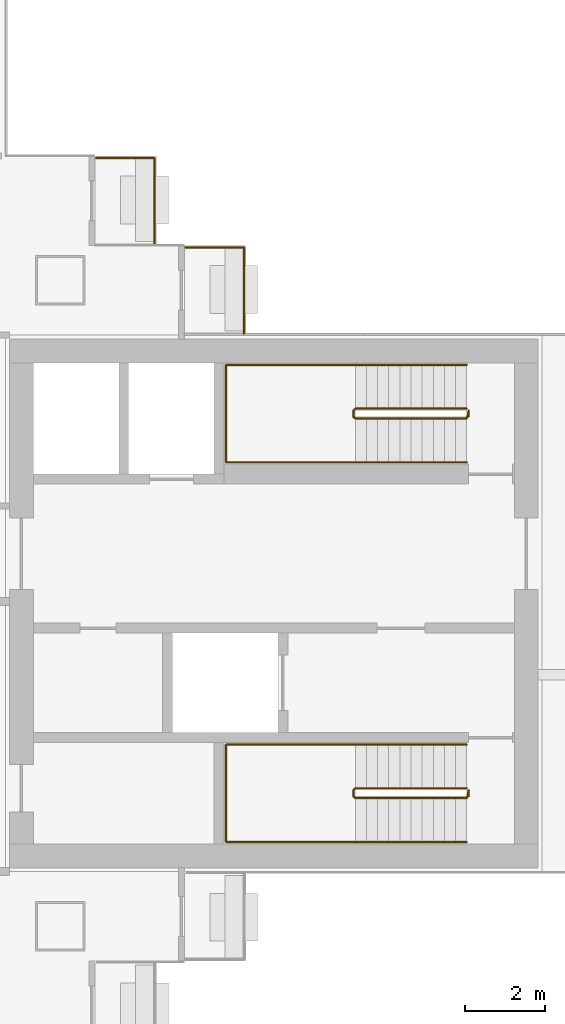
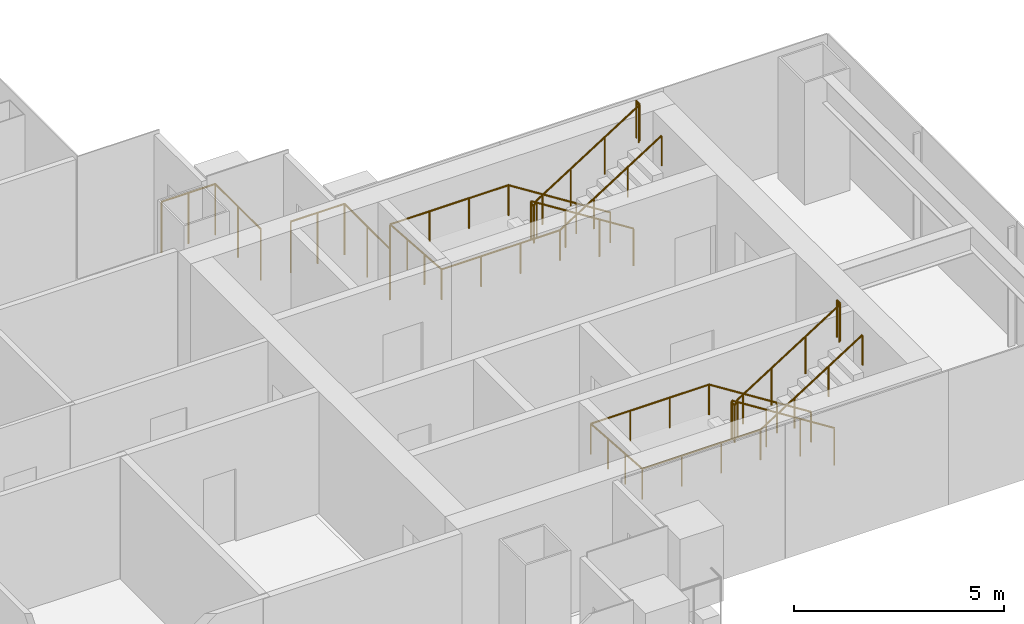
# One storey, part 19 of 20: 6 railings.
"""IFC4 building model written with IfcOpenShell, lengths in metres."""

from ifc_helpers import new_model, si_unit, direction, frame, origin, origin_2d, place, context, subcontext, project, spatial, circle, extrude, material, type_object, element, save


model = new_model("IFC4")

# Units and contexts
model_context = context("Model", 3, precision=1e-05, world=origin(), true_north=direction((0.0, 1.0)))
body_context = subcontext(model_context, "Body", "Model", "MODEL_VIEW")
ifc_project = project(units=[si_unit("LENGTHUNIT", "METRE"), si_unit("AREAUNIT", "SQUARE_METRE"), si_unit("VOLUMEUNIT", "CUBIC_METRE"), si_unit("PLANEANGLEUNIT", "RADIAN"), si_unit("MASSUNIT", "GRAM", prefix="KILO")], contexts=[model_context])

# Site, building, storey
site_placement = place(None, origin())
site = spatial("IfcSite", under=ifc_project, at=site_placement, CompositionType="ELEMENT")
building_placement = place(site_placement, origin())
building = spatial("IfcBuilding", under=site, at=building_placement, Name="Shamsa Quay Exchange Towers", CompositionType="ELEMENT")
storey_placement = place(building_placement, frame((0.0, 0.0, 109.199951171875)))
storey = spatial("IfcBuildingStorey", under=building, at=storey_placement, Name="L25", CompositionType="ELEMENT", Elevation=109.199951171875)

# Railings
ifc_material_1 = material(Name="Steel S355, black powder-coated", Category="steel")
railing_type_1 = type_object("IfcRailingType", Name="BALCONY GUARD 1500", PredefinedType="GUARDRAIL", material=ifc_material_1)
for number, where, name in (
    (1, (44.25, 9.0380859375, 0.0), "Balcony guard T2-PKES L25"),
    (2, (46.5, 6.7880859375, 0.0), "Balcony guard T2-PKES L25"),
):
    element("IfcRailing", number, at=place(storey_placement, frame(where)), inside=storey, type_object=railing_type_1, Name=name, PredefinedType="GUARDRAIL", context=body_context, shape_type="SweptSolid", body=[
        extrude(circle(Radius=0.02392578125, at=origin_2d()), frame((0.0, 0.0, 1.47607421875), z_axis=(0.0, 1.0, 0.0), x_axis=(-1.0, 0.0, 0.0)), (0.0, 0.0, 1.0), 2.161865234375),
        extrude(circle(Radius=0.02392578125, at=origin_2d()), frame((0.0, 2.161865234375, 1.47607421875), z_axis=(-1.0, 0.0, 0.0), x_axis=(0.0, -1.0, 0.0)), (0.0, 0.0, 1.0), 1.47900390625),
        extrude(circle(Radius=0.02099609375, at=origin_2d()), origin(), (0.0, 0.0, 1.0), 1.451904296875),
        extrude(circle(Radius=0.02099609375, at=origin_2d()), frame((0.0, 1.0810546875, 0.0)), (0.0, 0.0, 1.0), 1.451904296875),
        extrude(circle(Radius=0.02099609375, at=origin_2d()), frame((0.0, 2.161865234375, 0.0)), (0.0, 0.0, 1.0), 1.451904296875),
        extrude(circle(Radius=0.02099609375, at=origin_2d()), frame((-0.739501953125, 2.161865234375, 0.0)), (0.0, 0.0, 1.0), 1.451904296875),
        extrude(circle(Radius=0.02099609375, at=origin_2d()), frame((-1.47900390625, 2.161865234375, 0.0)), (0.0, 0.0, 1.0), 1.451904296875),
    ])
ifc_material_2 = material(Name="Stainless steel", Category="steel")
railing_type_2 = type_object("IfcRailingType", Name="STAIR GUARD 1100", PredefinedType="GUARDRAIL", material=ifc_material_2)
railing_1_placement = place(storey_placement, frame((52.10009765625, -4.64990234375, 0.17724609375)))
element("IfcRailing", 3, at=railing_1_placement, inside=storey, type_object=railing_type_2, Name="L25 ST5 stair guard 1", PredefinedType="GUARDRAIL", context=body_context, shape_type="SweptSolid", body=[
    extrude(circle(Radius=0.02392578125, at=origin_2d()), frame((0.0, 0.0, 1.076171875), z_axis=(-0.844908973607, 0.0, 0.534910110503), x_axis=(0.0, -1.0, 0.0)), (0.0, 0.0, 1.0), 3.31396484375),
    extrude(circle(Radius=0.02392578125, at=origin_2d()), frame((-2.800048828125, 0.0, 2.8486328125), z_axis=(-0.707106781187, -0.707106781187, 0.0), x_axis=(0.707106781187, -0.707106781187, 0.0)), (0.0, 0.0, 1.0), 0.07080078125),
    extrude(circle(Radius=0.02392578125, at=origin_2d()), frame((-2.85009765625, -0.050048828125, 2.8486328125), z_axis=(0.0, -1.0, 0.0), x_axis=(1.0, 0.0, 0.0)), (0.0, 0.0, 1.0), 0.150146484375),
    extrude(circle(Radius=0.02392578125, at=origin_2d()), frame((-2.85009765625, -0.2001953125, 2.8486328125), z_axis=(0.262009983441, -0.260731885961, 0.929176868105), x_axis=(0.705375805398, 0.708833529934, 0.0)), (0.0, 0.0, 1.0), 0.19091796875),
    extrude(circle(Radius=0.02392578125, at=origin_2d()), frame((-2.800048828125, -0.25, 3.0263671875), z_axis=(0.844908973607, 0.0, 0.534910110503), x_axis=(0.0, 1.0, 0.0)), (0.0, 0.0, 1.0), 3.31396484375),
    extrude(circle(Radius=0.02392578125, at=origin_2d()), frame((0.0, -0.25, 4.798828125), z_axis=(0.241699205484, 0.970351222016, 0.0), x_axis=(-0.970351222016, 0.241699205484, 0.0)), (0.0, 0.0, 1.0), 0.2060546875),
    extrude(circle(Radius=0.02392578125, at=origin_2d()), frame((0.0498046875, -0.050048828125, 4.798828125), z_axis=(0.0, -1.0, 0.0), x_axis=(1.0, 0.0, 0.0)), (0.0, 0.0, 1.0), 0.150146484375),
    extrude(circle(Radius=0.02099609375, at=origin_2d()), origin(), (0.0, 0.0, 1.0), 1.052001953125),
    extrude(circle(Radius=0.02099609375, at=origin_2d()), frame((-0.933349609375, 0.0, 0.5908203125)), (0.0, 0.0, 1.0), 1.052001953125),
    extrude(circle(Radius=0.02099609375, at=origin_2d()), frame((-1.86669921875, 0.0, 1.181884765625)), (0.0, 0.0, 1.0), 1.052001953125),
    extrude(circle(Radius=0.02099609375, at=origin_2d()), frame((-2.800048828125, 0.0, 1.772705078125)), (0.0, 0.0, 1.0), 1.052001953125),
    extrude(circle(Radius=0.02099609375, at=origin_2d()), frame((-2.85009765625, -0.050048828125, 1.772705078125)), (0.0, 0.0, 1.0), 1.052001953125),
    extrude(circle(Radius=0.02099609375, at=origin_2d()), frame((-2.85009765625, -0.2001953125, 1.772705078125)), (0.0, 0.0, 1.0), 1.052001953125),
    extrude(circle(Radius=0.02099609375, at=origin_2d()), frame((-2.800048828125, -0.25, 1.9501953125)), (0.0, 0.0, 1.0), 1.052001953125),
    extrude(circle(Radius=0.02099609375, at=origin_2d()), frame((-1.86669921875, -0.25, 2.541015625)), (0.0, 0.0, 1.0), 1.052001953125),
    extrude(circle(Radius=0.02099609375, at=origin_2d()), frame((-0.933349609375, -0.25, 3.132080078125)), (0.0, 0.0, 1.0), 1.052001953125),
    extrude(circle(Radius=0.02099609375, at=origin_2d()), frame((0.0, -0.25, 3.722900390625)), (0.0, 0.0, 1.0), 1.052001953125),
    extrude(circle(Radius=0.02099609375, at=origin_2d()), frame((0.0498046875, -0.050048828125, 3.722900390625)), (0.0, 0.0, 1.0), 1.052001953125),
    extrude(circle(Radius=0.02099609375, at=origin_2d()), frame((0.0498046875, -0.2001953125, 3.722900390625)), (0.0, 0.0, 1.0), 1.052001953125),
])
railing_2_placement = place(storey_placement, frame((52.10009765625, 4.89990234375, 0.17724609375)))
element("IfcRailing", 4, at=railing_2_placement, inside=storey, type_object=railing_type_2, Name="L25 ST6 stair guard 1", PredefinedType="GUARDRAIL", context=body_context, shape_type="SweptSolid", body=[
    extrude(circle(Radius=0.02392578125, at=origin_2d()), frame((0.0, 0.0, 1.076171875), z_axis=(-0.844908973607, 0.0, 0.534910110503), x_axis=(0.0, -1.0, 0.0)), (0.0, 0.0, 1.0), 3.31396484375),
    extrude(circle(Radius=0.02392578125, at=origin_2d()), frame((-2.800048828125, 0.0, 2.8486328125), z_axis=(-0.708833529934, -0.705375805398, 0.0), x_axis=(0.705375805398, -0.708833529934, 0.0)), (0.0, 0.0, 1.0), 0.070556640625),
    extrude(circle(Radius=0.02392578125, at=origin_2d()), frame((-2.85009765625, -0.0498046875, 2.8486328125), z_axis=(0.0, -1.0, 0.0), x_axis=(1.0, 0.0, 0.0)), (0.0, 0.0, 1.0), 0.150146484375),
    extrude(circle(Radius=0.02392578125, at=origin_2d()), frame((-2.85009765625, -0.199951171875, 2.8486328125), z_axis=(0.261922500866, -0.261922500866, 0.928866625022), x_axis=(0.707106781187, 0.707106781187, 0.0)), (0.0, 0.0, 1.0), 0.191162109375),
    extrude(circle(Radius=0.02392578125, at=origin_2d()), frame((-2.800048828125, -0.25, 3.0263671875), z_axis=(0.844908973607, 0.0, 0.534910110503), x_axis=(0.0, 1.0, 0.0)), (0.0, 0.0, 1.0), 3.31396484375),
    extrude(circle(Radius=0.02392578125, at=origin_2d()), frame((0.0, -0.25, 4.798828125), z_axis=(0.24142163986, 0.970420317083, 0.0), x_axis=(-0.970420317083, 0.24142163986, 0.0)), (0.0, 0.0, 1.0), 0.206298828125),
    extrude(circle(Radius=0.02392578125, at=origin_2d()), frame((0.0498046875, -0.0498046875, 4.798828125), z_axis=(0.0, -1.0, 0.0), x_axis=(1.0, 0.0, 0.0)), (0.0, 0.0, 1.0), 0.150146484375),
    extrude(circle(Radius=0.02099609375, at=origin_2d()), origin(), (0.0, 0.0, 1.0), 1.052001953125),
    extrude(circle(Radius=0.02099609375, at=origin_2d()), frame((-0.933349609375, 0.0, 0.5908203125)), (0.0, 0.0, 1.0), 1.052001953125),
    extrude(circle(Radius=0.02099609375, at=origin_2d()), frame((-1.86669921875, 0.0, 1.181884765625)), (0.0, 0.0, 1.0), 1.052001953125),
    extrude(circle(Radius=0.02099609375, at=origin_2d()), frame((-2.800048828125, 0.0, 1.772705078125)), (0.0, 0.0, 1.0), 1.052001953125),
    extrude(circle(Radius=0.02099609375, at=origin_2d()), frame((-2.85009765625, -0.0498046875, 1.772705078125)), (0.0, 0.0, 1.0), 1.052001953125),
    extrude(circle(Radius=0.02099609375, at=origin_2d()), frame((-2.85009765625, -0.199951171875, 1.772705078125)), (0.0, 0.0, 1.0), 1.052001953125),
    extrude(circle(Radius=0.02099609375, at=origin_2d()), frame((-2.800048828125, -0.25, 1.9501953125)), (0.0, 0.0, 1.0), 1.052001953125),
    extrude(circle(Radius=0.02099609375, at=origin_2d()), frame((-1.86669921875, -0.25, 2.541015625)), (0.0, 0.0, 1.0), 1.052001953125),
    extrude(circle(Radius=0.02099609375, at=origin_2d()), frame((-0.933349609375, -0.25, 3.132080078125)), (0.0, 0.0, 1.0), 1.052001953125),
    extrude(circle(Radius=0.02099609375, at=origin_2d()), frame((0.0, -0.25, 3.722900390625)), (0.0, 0.0, 1.0), 1.052001953125),
    extrude(circle(Radius=0.02099609375, at=origin_2d()), frame((0.0498046875, -0.0498046875, 3.722900390625)), (0.0, 0.0, 1.0), 1.052001953125),
    extrude(circle(Radius=0.02099609375, at=origin_2d()), frame((0.0498046875, -0.199951171875, 3.722900390625)), (0.0, 0.0, 1.0), 1.052001953125),
])
railing_type_3 = type_object("IfcRailingType", Name="STAIR HANDRAIL 900", PredefinedType="HANDRAIL", material=ifc_material_2)
railing_3_placement = place(storey_placement, frame((52.10009765625, -3.550048828125, 0.17724609375)))
element("IfcRailing", 5, at=railing_3_placement, inside=storey, type_object=railing_type_3, Name="L25 ST5 stair handrail 1", PredefinedType="HANDRAIL", context=body_context, shape_type="SweptSolid", body=[
    extrude(circle(Radius=0.02392578125, at=origin_2d()), frame((0.0, 0.0, 0.8759765625), z_axis=(-0.844908973607, 0.0, 0.534910110503), x_axis=(0.0, -1.0, 0.0)), (0.0, 0.0, 1.0), 3.31396484375),
    extrude(circle(Radius=0.02392578125, at=origin_2d()), frame((-2.800048828125, 0.0, 2.6484375), z_axis=(-1.0, 0.0, 0.0), x_axis=(0.0, -1.0, 0.0)), (0.0, 0.0, 1.0), 3.25),
    extrude(circle(Radius=0.02392578125, at=origin_2d()), frame((-6.050048828125, 0.0, 2.6484375), z_axis=(0.0, -0.997386041853, 0.072257065513), x_axis=(1.0, 0.0, 0.0)), (0.0, 0.0, 1.0), 2.456298828125),
    extrude(circle(Radius=0.02392578125, at=origin_2d()), frame((-6.050048828125, -2.449951171875, 2.826171875), z_axis=(1.0, 0.0, 0.0), x_axis=(0.0, 1.0, 0.0)), (0.0, 0.0, 1.0), 3.25),
    extrude(circle(Radius=0.02392578125, at=origin_2d()), frame((-2.800048828125, -2.449951171875, 2.826171875), z_axis=(0.844908973607, 0.0, 0.534910110503), x_axis=(0.0, 1.0, 0.0)), (0.0, 0.0, 1.0), 3.31396484375),
    extrude(circle(Radius=0.02099609375, at=origin_2d()), origin(), (0.0, 0.0, 1.0), 0.851806640625),
    extrude(circle(Radius=0.02099609375, at=origin_2d()), frame((-0.933349609375, 0.0, 0.5908203125)), (0.0, 0.0, 1.0), 0.851806640625),
    extrude(circle(Radius=0.02099609375, at=origin_2d()), frame((-1.86669921875, 0.0, 1.181884765625)), (0.0, 0.0, 1.0), 0.851806640625),
    extrude(circle(Radius=0.02099609375, at=origin_2d()), frame((-2.800048828125, 0.0, 1.772705078125)), (0.0, 0.0, 1.0), 0.851806640625),
    extrude(circle(Radius=0.02099609375, at=origin_2d()), frame((-3.88330078125, 0.0, 1.772705078125)), (0.0, 0.0, 1.0), 0.851806640625),
    extrude(circle(Radius=0.02099609375, at=origin_2d()), frame((-4.966796875, 0.0, 1.772705078125)), (0.0, 0.0, 1.0), 0.851806640625),
    extrude(circle(Radius=0.02099609375, at=origin_2d()), frame((-6.050048828125, 0.0, 1.772705078125)), (0.0, 0.0, 1.0), 0.851806640625),
    extrude(circle(Radius=0.02099609375, at=origin_2d()), frame((-6.050048828125, -0.816650390625, 1.831787109375)), (0.0, 0.0, 1.0), 0.851806640625),
    extrude(circle(Radius=0.02099609375, at=origin_2d()), frame((-6.050048828125, -1.63330078125, 1.89111328125)), (0.0, 0.0, 1.0), 0.851806640625),
    extrude(circle(Radius=0.02099609375, at=origin_2d()), frame((-6.050048828125, -2.449951171875, 1.9501953125)), (0.0, 0.0, 1.0), 0.851806640625),
    extrude(circle(Radius=0.02099609375, at=origin_2d()), frame((-4.966796875, -2.449951171875, 1.9501953125)), (0.0, 0.0, 1.0), 0.851806640625),
    extrude(circle(Radius=0.02099609375, at=origin_2d()), frame((-3.88330078125, -2.449951171875, 1.9501953125)), (0.0, 0.0, 1.0), 0.851806640625),
    extrude(circle(Radius=0.02099609375, at=origin_2d()), frame((-2.800048828125, -2.449951171875, 1.9501953125)), (0.0, 0.0, 1.0), 0.851806640625),
    extrude(circle(Radius=0.02099609375, at=origin_2d()), frame((-1.86669921875, -2.449951171875, 2.541015625)), (0.0, 0.0, 1.0), 0.851806640625),
    extrude(circle(Radius=0.02099609375, at=origin_2d()), frame((-0.933349609375, -2.449951171875, 3.132080078125)), (0.0, 0.0, 1.0), 0.851806640625),
    extrude(circle(Radius=0.02099609375, at=origin_2d()), frame((0.0, -2.449951171875, 3.722900390625)), (0.0, 0.0, 1.0), 0.851806640625),
])
railing_4_placement = place(storey_placement, frame((52.10009765625, 6.0, 0.17724609375)))
element("IfcRailing", 6, at=railing_4_placement, inside=storey, type_object=railing_type_3, Name="L25 ST6 stair handrail 1", PredefinedType="HANDRAIL", context=body_context, shape_type="SweptSolid", body=[
    extrude(circle(Radius=0.02392578125, at=origin_2d()), frame((0.0, 0.0, 0.8759765625), z_axis=(-0.844908973607, 0.0, 0.534910110503), x_axis=(0.0, -1.0, 0.0)), (0.0, 0.0, 1.0), 3.31396484375),
    extrude(circle(Radius=0.02392578125, at=origin_2d()), frame((-2.800048828125, 0.0, 2.6484375), z_axis=(-1.0, 0.0, 0.0), x_axis=(0.0, -1.0, 0.0)), (0.0, 0.0, 1.0), 3.25),
    extrude(circle(Radius=0.02392578125, at=origin_2d()), frame((-6.050048828125, 0.0, 2.6484375), z_axis=(0.0, -0.997386041853, 0.072257065513), x_axis=(1.0, 0.0, 0.0)), (0.0, 0.0, 1.0), 2.456298828125),
    extrude(circle(Radius=0.02392578125, at=origin_2d()), frame((-6.050048828125, -2.449951171875, 2.826171875), z_axis=(1.0, 0.0, 0.0), x_axis=(0.0, 1.0, 0.0)), (0.0, 0.0, 1.0), 3.25),
    extrude(circle(Radius=0.02392578125, at=origin_2d()), frame((-2.800048828125, -2.449951171875, 2.826171875), z_axis=(0.844908973607, 0.0, 0.534910110503), x_axis=(0.0, 1.0, 0.0)), (0.0, 0.0, 1.0), 3.31396484375),
    extrude(circle(Radius=0.02099609375, at=origin_2d()), origin(), (0.0, 0.0, 1.0), 0.851806640625),
    extrude(circle(Radius=0.02099609375, at=origin_2d()), frame((-0.933349609375, 0.0, 0.5908203125)), (0.0, 0.0, 1.0), 0.851806640625),
    extrude(circle(Radius=0.02099609375, at=origin_2d()), frame((-1.86669921875, 0.0, 1.181884765625)), (0.0, 0.0, 1.0), 0.851806640625),
    extrude(circle(Radius=0.02099609375, at=origin_2d()), frame((-2.800048828125, 0.0, 1.772705078125)), (0.0, 0.0, 1.0), 0.851806640625),
    extrude(circle(Radius=0.02099609375, at=origin_2d()), frame((-3.88330078125, 0.0, 1.772705078125)), (0.0, 0.0, 1.0), 0.851806640625),
    extrude(circle(Radius=0.02099609375, at=origin_2d()), frame((-4.966796875, 0.0, 1.772705078125)), (0.0, 0.0, 1.0), 0.851806640625),
    extrude(circle(Radius=0.02099609375, at=origin_2d()), frame((-6.050048828125, 0.0, 1.772705078125)), (0.0, 0.0, 1.0), 0.851806640625),
    extrude(circle(Radius=0.02099609375, at=origin_2d()), frame((-6.050048828125, -0.816650390625, 1.831787109375)), (0.0, 0.0, 1.0), 0.851806640625),
    extrude(circle(Radius=0.02099609375, at=origin_2d()), frame((-6.050048828125, -1.63330078125, 1.89111328125)), (0.0, 0.0, 1.0), 0.851806640625),
    extrude(circle(Radius=0.02099609375, at=origin_2d()), frame((-6.050048828125, -2.449951171875, 1.9501953125)), (0.0, 0.0, 1.0), 0.851806640625),
    extrude(circle(Radius=0.02099609375, at=origin_2d()), frame((-4.966796875, -2.449951171875, 1.9501953125)), (0.0, 0.0, 1.0), 0.851806640625),
    extrude(circle(Radius=0.02099609375, at=origin_2d()), frame((-3.88330078125, -2.449951171875, 1.9501953125)), (0.0, 0.0, 1.0), 0.851806640625),
    extrude(circle(Radius=0.02099609375, at=origin_2d()), frame((-2.800048828125, -2.449951171875, 1.9501953125)), (0.0, 0.0, 1.0), 0.851806640625),
    extrude(circle(Radius=0.02099609375, at=origin_2d()), frame((-1.86669921875, -2.449951171875, 2.541015625)), (0.0, 0.0, 1.0), 0.851806640625),
    extrude(circle(Radius=0.02099609375, at=origin_2d()), frame((-0.933349609375, -2.449951171875, 3.132080078125)), (0.0, 0.0, 1.0), 0.851806640625),
    extrude(circle(Radius=0.02099609375, at=origin_2d()), frame((0.0, -2.449951171875, 3.722900390625)), (0.0, 0.0, 1.0), 0.851806640625),
])

save(model, "model.ifc")
